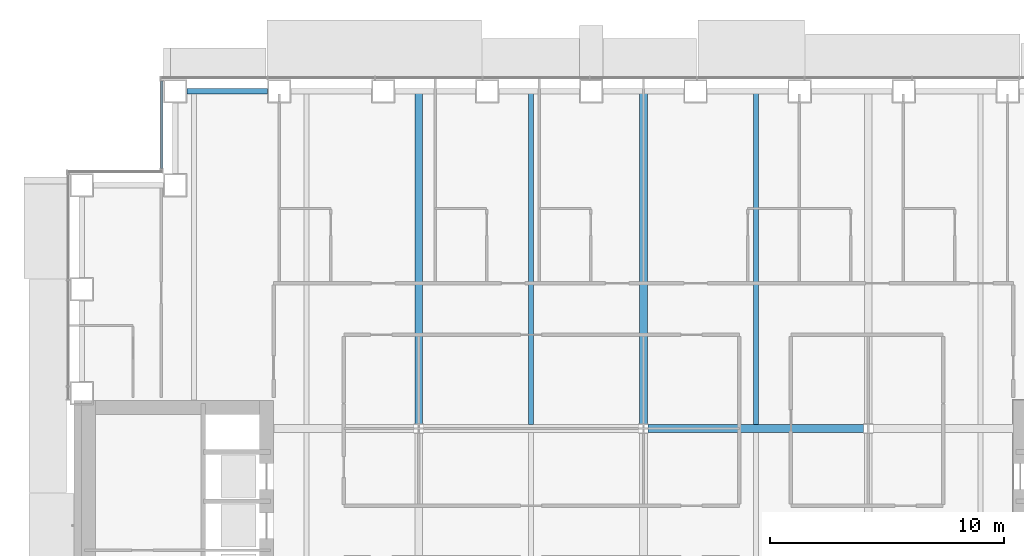
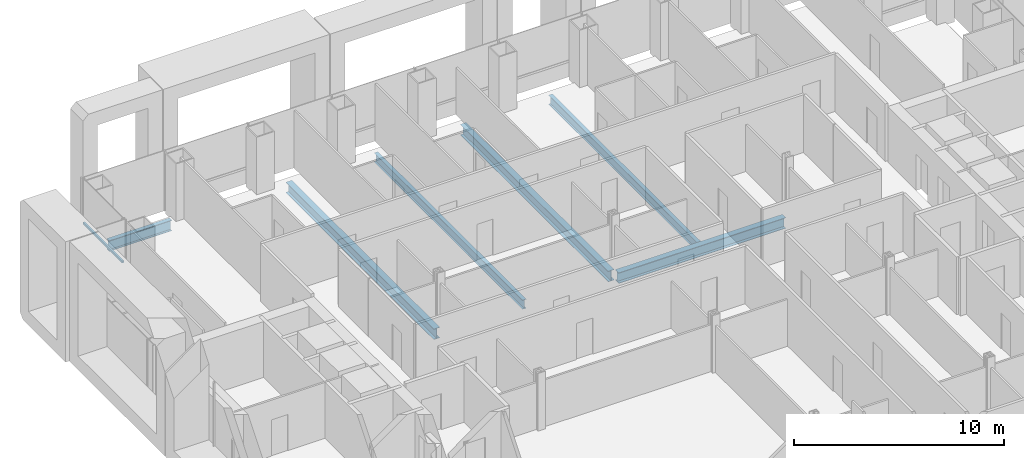
# One storey, part 7 of 25: 6 beams, 1 member, 1 element without a shape of its own.
"""IFC4 building model written with IfcOpenShell, lengths in metres."""

from ifc_helpers import new_model, si_unit, direction, frame, origin, origin_2d, place, context, subcontext, project, spatial, rectangle, i_section, extrude, material, material_profile, profile_set, type_object, element, aggregate, save


model = new_model("IFC4")

# Units and contexts
model_context = context("Model", 3, precision=1e-05, world=origin(), true_north=direction((0.0, 1.0)))
body_context = subcontext(model_context, "Body", "Model", "MODEL_VIEW")
ifc_project = project(units=[si_unit("LENGTHUNIT", "METRE"), si_unit("AREAUNIT", "SQUARE_METRE"), si_unit("VOLUMEUNIT", "CUBIC_METRE"), si_unit("PLANEANGLEUNIT", "RADIAN"), si_unit("MASSUNIT", "GRAM", prefix="KILO")], contexts=[model_context])

# Site, building, storey
site_placement = place(None, origin())
site = spatial("IfcSite", under=ifc_project, at=site_placement, CompositionType="ELEMENT")
building_placement = place(site_placement, origin())
building = spatial("IfcBuilding", under=site, at=building_placement, Name="Cobrizo Arcos Hotel Tower", CompositionType="ELEMENT")
storey_placement = place(building_placement, frame((0.0, 0.0, 53.0)))
storey = spatial("IfcBuildingStorey", under=building, at=storey_placement, Name="L11", CompositionType="ELEMENT", Elevation=53.0)

# Curtain wall, member
ifc_material_1 = material(Name="Aluminium 6063-T6 anodised bronze", Category="aluminium")
curtain_wall_type = type_object("IfcCurtainWallType", Name="CW-A guest facade", PredefinedType="NOTDEFINED", material=ifc_material_1)
curtain_wall_placement = place(storey_placement, origin())
curtain_wall = element("IfcCurtainWall", 1, at=curtain_wall_placement, inside=storey, type_object=curtain_wall_type, Name="CW-A L11 W face", PredefinedType="NOTDEFINED")
ifc_material_profile_1 = material_profile(ifc_material_1, rectangle(XDim=0.10009765625, YDim=0.1201171875, at=origin_2d()), Name="CW-A transom 120x100")
ifc_profile_set_1 = profile_set([ifc_material_profile_1], Name="Aluminium 6063-T6 anodised bronze")
member_type = type_object("IfcMemberType", Name="CW-A transom 120x100", PredefinedType="USERDEFINED", material=ifc_profile_set_1)
member_placement = place(storey_placement, frame((-20.574951171875, 24.43994140625, 0.929931640625), z_axis=(0.0, -1.0, 0.0), x_axis=(1.0, 0.0, 0.0)))
member = element("IfcMember", 2, at=member_placement, type_object=member_type, Name="CW-A transom 541", ObjectType="TRANSOM", PredefinedType="USERDEFINED", context=body_context, shape_type="SweptSolid", body=[
    extrude(rectangle(XDim=0.10009765625, YDim=0.1201171875, at=origin_2d()), origin(), (0.0, 0.0, 1.0), 3.72998046875),
])
aggregate(curtain_wall, [member])

# Beams
ifc_material_2 = material(Name="Steel ASTM A992 Grade 50", Category="steel")
ifc_material_profile_2 = material_profile(ifc_material_2, i_section(OverallWidth=0.209228515625, OverallDepth=0.533447265625, WebThickness=0.01025390625, FlangeThickness=0.015625, at=origin_2d()), Name="W21X62")
ifc_profile_set_2 = profile_set([ifc_material_profile_2], Name="Steel ASTM A992 Grade 50")
beam_type_1 = type_object("IfcBeamType", Name="W21X62 joist", PredefinedType="JOIST", material=ifc_profile_set_2)
for number, where, z_axis, x_axis, name in (
    (3, (-4.800048828125, 9.763916015625, -0.416748046875), (0.0, 1.0, 0.0), (-1.0, 0.0, 0.0), "Floor joist J1, L11, no. 010"),
    (4, (4.800048828125, 9.763916015625, -0.416748046875), (0.0, 1.0, 0.0), (-1.0, 0.0, 0.0), "Floor joist J1, L11, no. 014"),
):
    element("IfcBeam", number, at=place(storey_placement, frame(where, z_axis=z_axis, x_axis=x_axis)), inside=storey, type_object=beam_type_1, Name=name, PredefinedType="JOIST", context=body_context, shape_type="SweptSolid", body=[
        extrude(i_section(OverallWidth=0.209228515625, OverallDepth=0.533447265625, WebThickness=0.01025390625, FlangeThickness=0.015625, at=origin_2d()), origin(), (0.0, 0.0, 1.0), 14.14599609375),
    ])
ifc_material_profile_3 = material_profile(ifc_material_2, i_section(OverallWidth=0.32763671875, OverallDepth=0.622314453125, WebThickness=0.015380859375, FlangeThickness=0.0244140625, at=origin_2d()), Name="W24X131")
ifc_profile_set_3 = profile_set([ifc_material_profile_3], Name="Steel ASTM A992 Grade 50")
beam_type_2 = type_object("IfcBeamType", Name="W24X131 girder", PredefinedType="BEAM", material=ifc_profile_set_3)
beam_1_placement = place(storey_placement, frame((0.204345703125, 9.60009765625, -0.461181640625), z_axis=(1.0, 0.0, 0.0), x_axis=(0.0, 1.0, 0.0)))
element("IfcBeam", 5, at=beam_1_placement, inside=storey, type_object=beam_type_2, Name="Floor girder G1, L11, no. 011", PredefinedType="BEAM", context=body_context, shape_type="SweptSolid", body=[
    extrude(i_section(OverallWidth=0.32763671875, OverallDepth=0.622314453125, WebThickness=0.015380859375, FlangeThickness=0.0244140625, at=origin_2d()), origin(), (0.0, 0.0, 1.0), 9.191162109375),
])
for number, where, z_axis, x_axis, name in (
    (6, (-9.60009765625, 9.804443359375, -0.461181640625), (0.0, 1.0, 0.0), (-1.0, 0.0, 0.0), "Floor girder G1, L11, no. 016"),
    (7, (0.0, 9.804443359375, -0.461181640625), (0.0, 1.0, 0.0), (-1.0, 0.0, 0.0), "Floor girder G1, L11, no. 020"),
):
    element("IfcBeam", number, at=place(storey_placement, frame(where, z_axis=z_axis, x_axis=x_axis)), inside=storey, type_object=beam_type_2, Name=name, PredefinedType="BEAM", context=body_context, shape_type="SweptSolid", body=[
        extrude(i_section(OverallWidth=0.32763671875, OverallDepth=0.622314453125, WebThickness=0.015380859375, FlangeThickness=0.0244140625, at=origin_2d()), origin(), (0.0, 0.0, 1.0), 14.10546875),
    ])
ifc_material_profile_4 = material_profile(ifc_material_2, i_section(OverallWidth=0.23046875, OverallDepth=0.6171875, WebThickness=0.01318359375, FlangeThickness=0.022216796875, at=origin_2d()), Name="W24X94")
ifc_profile_set_4 = profile_set([ifc_material_profile_4], Name="Steel ASTM A992 Grade 50")
beam_type_3 = type_object("IfcBeamType", Name="W24X94 spandrel", PredefinedType="SPANDREL", material=ifc_profile_set_4)
beam_2_placement = place(storey_placement, frame((-16.055908203125, 24.0, -0.45849609375), z_axis=(-1.0, 0.0, 0.0), x_axis=(0.0, -1.0, 0.0)))
element("IfcBeam", 8, at=beam_2_placement, inside=storey, type_object=beam_type_3, Name="Spandrel beam W24X94, L11, no. 026", PredefinedType="SPANDREL", context=body_context, shape_type="SweptSolid", body=[
    extrude(i_section(OverallWidth=0.23046875, OverallDepth=0.6171875, WebThickness=0.01318359375, FlangeThickness=0.022216796875, at=origin_2d()), origin(), (0.0, 0.0, 1.0), 3.444091796875),
])

save(model, "model.ifc")
